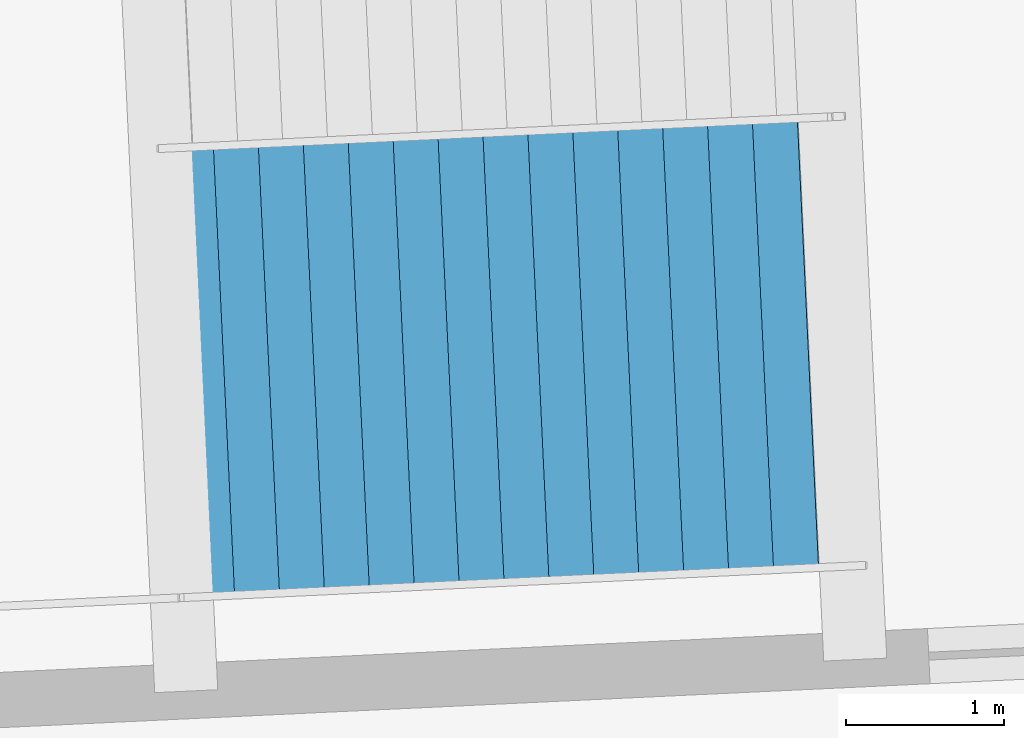
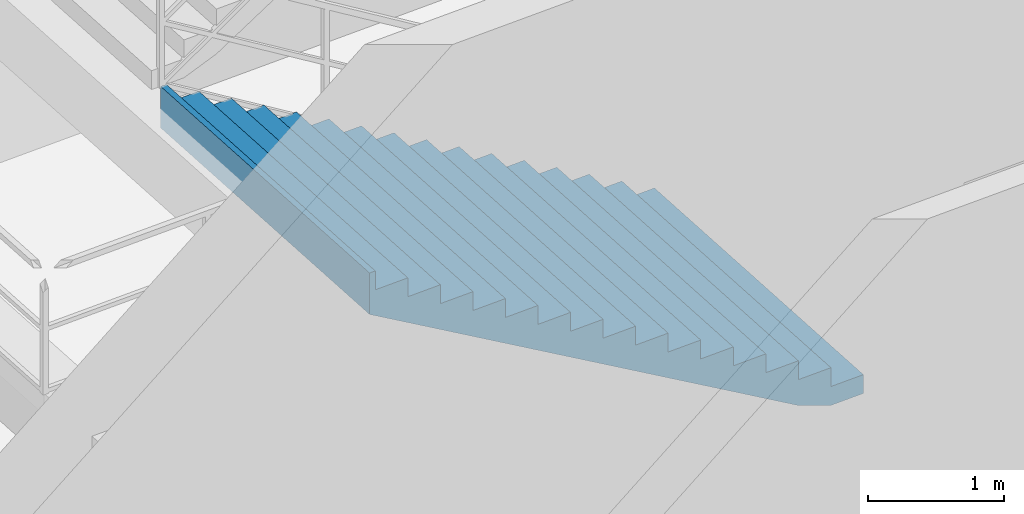
# One storey, part 38 of 49: 1 stair flight, 1 element without a shape of its own.
"""IFC4 building model written with IfcOpenShell, lengths in metres."""

from ifc_helpers import new_model, si_unit, direction, frame, origin, place, context, subcontext, project, spatial, polygons, material, type_object, element, aggregate, save


model = new_model("IFC4")

# Units and contexts
model_context = context("Model", 3, precision=1e-05, world=origin(), true_north=direction((0.0, 1.0)))
body_context = subcontext(model_context, "Body", "Model", "MODEL_VIEW")
ifc_project = project(units=[si_unit("LENGTHUNIT", "METRE"), si_unit("AREAUNIT", "SQUARE_METRE"), si_unit("VOLUMEUNIT", "CUBIC_METRE"), si_unit("PLANEANGLEUNIT", "RADIAN"), si_unit("MASSUNIT", "GRAM", prefix="KILO")], contexts=[model_context])

# Site, building, storey
site_placement = place(None, origin())
site = spatial("IfcSite", under=ifc_project, at=site_placement, CompositionType="ELEMENT")
building_placement = place(site_placement, origin())
building = spatial("IfcBuilding", under=site, at=building_placement, Name="Kazemori Nagisa Stadium", CompositionType="ELEMENT")
storey_placement = place(building_placement, frame((0.0, 0.0, -5.43994140625)))
storey = spatial("IfcBuildingStorey", under=building, at=storey_placement, Name="B1", CompositionType="ELEMENT", Elevation=-5.43994140625)

# Stair, stair flight
ifc_material = material(Name="Concrete C36/45 (Fc36)", Category="concrete")
stair_type = type_object("IfcStairType", Name="Stair_CORE_32", PredefinedType="TWO_STRAIGHT_RUN_STAIR", material=ifc_material)
stair_placement = place(storey_placement, origin())
stair = element("IfcStair", 1, at=stair_placement, inside=storey, type_object=stair_type, Name="Exit stair ST05 B1", PredefinedType="TWO_STRAIGHT_RUN_STAIR")
stair_flight_type = type_object("IfcStairFlightType", Name="Flight_CORE_16", PredefinedType="STRAIGHT", material=ifc_material)
stair_flight_placement = place(storey_placement, frame((119.465087890625, 180.565673828125, 0.0), z_axis=(0.0, 0.0, 1.0), x_axis=(-0.99888410244, -0.047228697771, 0.0)))
stair_flight = element("IfcStairFlight", 2, at=stair_flight_placement, type_object=stair_flight_type, Name="Exit stair ST05 B1 flight 1", NumberOfRisers=16, NumberOfTreads=15, PredefinedType="STRAIGHT", RiserHeight=0.17, TreadLength=0.285, context=body_context, shape_type="Tessellation", body=[
    polygons([(0.0, -1.425048828125, 0.0), (0.0, -1.425048828125, 0.169921875), (0.284912109375, -1.425048828125, 0.169921875), (0.284912109375, -1.425048828125, 0.340087890625), (0.570068359375, -1.425048828125, 0.340087890625), (0.570068359375, -1.425048828125, 0.510009765625), (0.85498046875, -1.425048828125, 0.510009765625), (0.85498046875, -1.425048828125, 0.679931640625), (1.139892578125, -1.425048828125, 0.679931640625), (1.139892578125, -1.425048828125, 0.85009765625), (1.425048828125, -1.425048828125, 0.85009765625), (1.425048828125, -1.425048828125, 1.02001953125), (1.7099609375, -1.425048828125, 1.02001953125), (1.7099609375, -1.425048828125, 1.18994140625), (1.9951171875, -1.425048828125, 1.18994140625), (1.9951171875, -1.425048828125, 1.360107421875), (2.280029296875, -1.425048828125, 1.360107421875), (2.280029296875, -1.425048828125, 1.530029296875), (2.56494140625, -1.425048828125, 1.530029296875), (2.56494140625, -1.425048828125, 1.699951171875), (2.85009765625, -1.425048828125, 1.699951171875), (2.85009765625, -1.425048828125, 1.8701171875), (3.135009765625, -1.425048828125, 1.8701171875), (3.135009765625, -1.425048828125, 2.0400390625), (3.419921875, -1.425048828125, 2.0400390625), (3.419921875, -1.425048828125, 2.2099609375), (3.705078125, -1.425048828125, 2.2099609375), (3.705078125, -1.425048828125, 2.3798828125), (3.989990234375, -1.425048828125, 2.3798828125), (3.989990234375, -1.425048828125, 2.550048828125), (4.27490234375, -1.425048828125, 2.550048828125), (4.27490234375, -1.425048828125, 2.719970703125), (4.324951171875, -1.425048828125, 2.719970703125), (4.324951171875, -1.425048828125, 2.346923828125), (4.27490234375, -1.425048828125, 2.317138671875), (3.989990234375, -1.425048828125, 2.147216796875), (3.705078125, -1.425048828125, 1.977294921875), (3.419921875, -1.425048828125, 1.80712890625), (3.135009765625, -1.425048828125, 1.63720703125), (2.85009765625, -1.425048828125, 1.46728515625), (2.56494140625, -1.425048828125, 1.297119140625), (2.280029296875, -1.425048828125, 1.127197265625), (1.9951171875, -1.425048828125, 0.957275390625), (1.7099609375, -1.425048828125, 0.787109375), (1.425048828125, -1.425048828125, 0.6171875), (1.139892578125, -1.425048828125, 0.447265625), (0.85498046875, -1.425048828125, 0.277099609375), (0.570068359375, -1.425048828125, 0.107177734375), (0.284912109375, -1.425048828125, 0.0), (0.0, -0.08544921875, 0.0), (0.0, -0.08544921875, 0.169921875), (0.284912109375, -0.08544921875, 0.169921875), (0.284912109375, -0.08544921875, 0.340087890625), (0.570068359375, -0.08544921875, 0.340087890625), (0.570068359375, -0.08544921875, 0.510009765625), (0.85498046875, -0.08544921875, 0.510009765625), (0.85498046875, -0.08544921875, 0.679931640625), (1.139892578125, -0.08544921875, 0.679931640625), (1.139892578125, -0.08544921875, 0.85009765625), (1.425048828125, -0.08544921875, 0.85009765625), (1.425048828125, -0.08544921875, 1.02001953125), (1.7099609375, -0.08544921875, 1.02001953125), (1.7099609375, -0.08544921875, 1.18994140625), (1.9951171875, -0.08544921875, 1.18994140625), (1.9951171875, -0.08544921875, 1.360107421875), (2.280029296875, -0.08544921875, 1.360107421875), (2.280029296875, -0.08544921875, 1.530029296875), (2.56494140625, -0.08544921875, 1.530029296875), (2.56494140625, -0.08544921875, 1.699951171875), (2.85009765625, -0.08544921875, 1.699951171875), (2.85009765625, -0.08544921875, 1.8701171875), (3.135009765625, -0.08544921875, 1.8701171875), (3.135009765625, -0.08544921875, 2.0400390625), (3.419921875, -0.08544921875, 2.0400390625), (3.419921875, -0.08544921875, 2.2099609375), (3.705078125, -0.08544921875, 2.2099609375), (3.705078125, -0.08544921875, 2.3798828125), (3.989990234375, -0.08544921875, 2.3798828125), (3.989990234375, -0.08544921875, 2.550048828125), (4.27490234375, -0.08544921875, 2.550048828125), (4.27490234375, -0.08544921875, 2.719970703125), (4.324951171875, -0.08544921875, 2.719970703125), (4.324951171875, -0.08544921875, 2.346923828125), (4.27490234375, -0.08544921875, 2.317138671875), (3.989990234375, -0.08544921875, 2.147216796875), (3.705078125, -0.08544921875, 1.977294921875), (3.419921875, -0.08544921875, 1.80712890625), (3.135009765625, -0.08544921875, 1.63720703125), (2.85009765625, -0.08544921875, 1.46728515625), (2.56494140625, -0.08544921875, 1.297119140625), (2.280029296875, -0.08544921875, 1.127197265625), (1.9951171875, -0.08544921875, 0.957275390625), (1.7099609375, -0.08544921875, 0.787109375), (1.425048828125, -0.08544921875, 0.6171875), (1.139892578125, -0.08544921875, 0.447265625), (0.85498046875, -0.08544921875, 0.277099609375), (0.570068359375, -0.08544921875, 0.107177734375), (0.284912109375, -0.08544921875, 0.0), (0.0, 0.0, 0.0), (0.0, 0.0, 0.169921875), (0.284912109375, 0.0, 0.169921875), (0.284912109375, 0.0, 0.340087890625), (0.570068359375, 0.0, 0.340087890625), (0.570068359375, 0.0, 0.510009765625), (0.85498046875, 0.0, 0.510009765625), (0.85498046875, 0.0, 0.679931640625), (1.139892578125, 0.0, 0.679931640625), (1.139892578125, 0.0, 0.85009765625), (1.425048828125, 0.0, 0.85009765625), (1.425048828125, 0.0, 1.02001953125), (1.7099609375, 0.0, 1.02001953125), (1.7099609375, 0.0, 1.18994140625), (1.9951171875, 0.0, 1.18994140625), (1.9951171875, 0.0, 1.360107421875), (2.280029296875, 0.0, 1.360107421875), (2.280029296875, 0.0, 1.530029296875), (2.56494140625, 0.0, 1.530029296875), (2.56494140625, 0.0, 1.699951171875), (2.85009765625, 0.0, 1.699951171875), (2.85009765625, 0.0, 1.8701171875), (3.135009765625, 0.0, 1.8701171875), (3.135009765625, 0.0, 2.0400390625), (3.419921875, 0.0, 2.0400390625), (3.419921875, 0.0, 2.2099609375), (3.705078125, 0.0, 2.2099609375), (3.705078125, 0.0, 2.3798828125), (3.989990234375, 0.0, 2.3798828125), (3.989990234375, 0.0, 2.550048828125), (4.27490234375, 0.0, 2.550048828125), (4.27490234375, 0.0, 2.719970703125), (4.324951171875, 0.0, 2.719970703125), (4.324951171875, 0.0, 2.346923828125), (4.27490234375, 0.0, 2.317138671875), (3.989990234375, 0.0, 2.147216796875), (3.705078125, 0.0, 1.977294921875), (3.419921875, 0.0, 1.80712890625), (3.135009765625, 0.0, 1.63720703125), (2.85009765625, 0.0, 1.46728515625), (2.56494140625, 0.0, 1.297119140625), (2.280029296875, 0.0, 1.127197265625), (1.9951171875, 0.0, 0.957275390625), (1.7099609375, 0.0, 0.787109375), (1.425048828125, 0.0, 0.6171875), (1.139892578125, 0.0, 0.447265625), (0.85498046875, 0.0, 0.277099609375), (0.570068359375, 0.0, 0.107177734375), (0.284912109375, 0.0, 0.0), (0.0, 0.08544921875, 0.0), (0.0, 0.08544921875, 0.169921875), (0.284912109375, 0.08544921875, 0.169921875), (0.284912109375, 0.08544921875, 0.340087890625), (0.570068359375, 0.08544921875, 0.340087890625), (0.570068359375, 0.08544921875, 0.510009765625), (0.85498046875, 0.08544921875, 0.510009765625), (0.85498046875, 0.08544921875, 0.679931640625), (1.139892578125, 0.08544921875, 0.679931640625), (1.139892578125, 0.08544921875, 0.85009765625), (1.425048828125, 0.08544921875, 0.85009765625), (1.425048828125, 0.08544921875, 1.02001953125), (1.7099609375, 0.08544921875, 1.02001953125), (1.7099609375, 0.08544921875, 1.18994140625), (1.9951171875, 0.08544921875, 1.18994140625), (1.9951171875, 0.08544921875, 1.360107421875), (2.280029296875, 0.08544921875, 1.360107421875), (2.280029296875, 0.08544921875, 1.530029296875), (2.56494140625, 0.08544921875, 1.530029296875), (2.56494140625, 0.08544921875, 1.699951171875), (2.85009765625, 0.08544921875, 1.699951171875), (2.85009765625, 0.08544921875, 1.8701171875), (3.135009765625, 0.08544921875, 1.8701171875), (3.135009765625, 0.08544921875, 2.0400390625), (3.419921875, 0.08544921875, 2.0400390625), (3.419921875, 0.08544921875, 2.2099609375), (3.705078125, 0.08544921875, 2.2099609375), (3.705078125, 0.08544921875, 2.3798828125), (3.989990234375, 0.08544921875, 2.3798828125), (3.989990234375, 0.08544921875, 2.550048828125), (4.27490234375, 0.08544921875, 2.550048828125), (4.27490234375, 0.08544921875, 2.719970703125), (4.324951171875, 0.08544921875, 2.719970703125), (4.324951171875, 0.08544921875, 2.346923828125), (4.27490234375, 0.08544921875, 2.317138671875), (3.989990234375, 0.08544921875, 2.147216796875), (3.705078125, 0.08544921875, 1.977294921875), (3.419921875, 0.08544921875, 1.80712890625), (3.135009765625, 0.08544921875, 1.63720703125), (2.85009765625, 0.08544921875, 1.46728515625), (2.56494140625, 0.08544921875, 1.297119140625), (2.280029296875, 0.08544921875, 1.127197265625), (1.9951171875, 0.08544921875, 0.957275390625), (1.7099609375, 0.08544921875, 0.787109375), (1.425048828125, 0.08544921875, 0.6171875), (1.139892578125, 0.08544921875, 0.447265625), (0.85498046875, 0.08544921875, 0.277099609375), (0.570068359375, 0.08544921875, 0.107177734375), (0.284912109375, 0.08544921875, 0.0), (0.0, 1.425048828125, 0.0), (0.0, 1.425048828125, 0.169921875), (0.284912109375, 1.425048828125, 0.169921875), (0.284912109375, 1.425048828125, 0.340087890625), (0.570068359375, 1.425048828125, 0.340087890625), (0.570068359375, 1.425048828125, 0.510009765625), (0.85498046875, 1.425048828125, 0.510009765625), (0.85498046875, 1.425048828125, 0.679931640625), (1.139892578125, 1.425048828125, 0.679931640625), (1.139892578125, 1.425048828125, 0.85009765625), (1.425048828125, 1.425048828125, 0.85009765625), (1.425048828125, 1.425048828125, 1.02001953125), (1.7099609375, 1.425048828125, 1.02001953125), (1.7099609375, 1.425048828125, 1.18994140625), (1.9951171875, 1.425048828125, 1.18994140625), (1.9951171875, 1.425048828125, 1.360107421875), (2.280029296875, 1.425048828125, 1.360107421875), (2.280029296875, 1.425048828125, 1.530029296875), (2.56494140625, 1.425048828125, 1.530029296875), (2.56494140625, 1.425048828125, 1.699951171875), (2.85009765625, 1.425048828125, 1.699951171875), (2.85009765625, 1.425048828125, 1.8701171875), (3.135009765625, 1.425048828125, 1.8701171875), (3.135009765625, 1.425048828125, 2.0400390625), (3.419921875, 1.425048828125, 2.0400390625), (3.419921875, 1.425048828125, 2.2099609375), (3.705078125, 1.425048828125, 2.2099609375), (3.705078125, 1.425048828125, 2.3798828125), (3.989990234375, 1.425048828125, 2.3798828125), (3.989990234375, 1.425048828125, 2.550048828125), (4.27490234375, 1.425048828125, 2.550048828125), (4.27490234375, 1.425048828125, 2.719970703125), (4.324951171875, 1.425048828125, 2.719970703125), (4.324951171875, 1.425048828125, 2.346923828125), (4.27490234375, 1.425048828125, 2.317138671875), (3.989990234375, 1.425048828125, 2.147216796875), (3.705078125, 1.425048828125, 1.977294921875), (3.419921875, 1.425048828125, 1.80712890625), (3.135009765625, 1.425048828125, 1.63720703125), (2.85009765625, 1.425048828125, 1.46728515625), (2.56494140625, 1.425048828125, 1.297119140625), (2.280029296875, 1.425048828125, 1.127197265625), (1.9951171875, 1.425048828125, 0.957275390625), (1.7099609375, 1.425048828125, 0.787109375), (1.425048828125, 1.425048828125, 0.6171875), (1.139892578125, 1.425048828125, 0.447265625), (0.85498046875, 1.425048828125, 0.277099609375), (0.570068359375, 1.425048828125, 0.107177734375), (0.284912109375, 1.425048828125, 0.0)], [[[1, 2, 51]], [[1, 51, 50]], [[2, 3, 52]], [[2, 52, 51]], [[3, 4, 53]], [[3, 53, 52]], [[4, 5, 54]], [[4, 54, 53]], [[5, 6, 55]], [[5, 55, 54]], [[6, 7, 56]], [[6, 56, 55]], [[7, 8, 57]], [[7, 57, 56]], [[8, 9, 58]], [[8, 58, 57]], [[9, 10, 59]], [[9, 59, 58]], [[10, 11, 60]], [[10, 60, 59]], [[11, 12, 61]], [[11, 61, 60]], [[12, 13, 62]], [[12, 62, 61]], [[13, 14, 63]], [[13, 63, 62]], [[14, 15, 64]], [[14, 64, 63]], [[15, 16, 65]], [[15, 65, 64]], [[16, 17, 66]], [[16, 66, 65]], [[17, 18, 67]], [[17, 67, 66]], [[18, 19, 68]], [[18, 68, 67]], [[19, 20, 69]], [[19, 69, 68]], [[20, 21, 70]], [[20, 70, 69]], [[21, 22, 71]], [[21, 71, 70]], [[22, 23, 72]], [[22, 72, 71]], [[23, 24, 73]], [[23, 73, 72]], [[24, 25, 74]], [[24, 74, 73]], [[25, 26, 75]], [[25, 75, 74]], [[26, 27, 76]], [[26, 76, 75]], [[27, 28, 77]], [[27, 77, 76]], [[28, 29, 78]], [[28, 78, 77]], [[29, 30, 79]], [[29, 79, 78]], [[30, 31, 80]], [[30, 80, 79]], [[31, 32, 81]], [[31, 81, 80]], [[32, 33, 82]], [[32, 82, 81]], [[33, 34, 83]], [[33, 83, 82]], [[34, 35, 84]], [[34, 84, 83]], [[35, 36, 85]], [[35, 85, 84]], [[36, 37, 86]], [[36, 86, 85]], [[37, 38, 87]], [[37, 87, 86]], [[38, 39, 88]], [[38, 88, 87]], [[39, 40, 89]], [[39, 89, 88]], [[40, 41, 90]], [[40, 90, 89]], [[41, 42, 91]], [[41, 91, 90]], [[42, 43, 92]], [[42, 92, 91]], [[43, 44, 93]], [[43, 93, 92]], [[44, 45, 94]], [[44, 94, 93]], [[45, 46, 95]], [[45, 95, 94]], [[46, 47, 96]], [[46, 96, 95]], [[47, 48, 97]], [[47, 97, 96]], [[48, 49, 98]], [[48, 98, 97]], [[49, 1, 50]], [[49, 50, 98]], [[50, 51, 100]], [[50, 100, 99]], [[51, 52, 101]], [[51, 101, 100]], [[52, 53, 102]], [[52, 102, 101]], [[53, 54, 103]], [[53, 103, 102]], [[54, 55, 104]], [[54, 104, 103]], [[55, 56, 105]], [[55, 105, 104]], [[56, 57, 106]], [[56, 106, 105]], [[57, 58, 107]], [[57, 107, 106]], [[58, 59, 108]], [[58, 108, 107]], [[59, 60, 109]], [[59, 109, 108]], [[60, 61, 110]], [[60, 110, 109]], [[61, 62, 111]], [[61, 111, 110]], [[62, 63, 112]], [[62, 112, 111]], [[63, 64, 113]], [[63, 113, 112]], [[64, 65, 114]], [[64, 114, 113]], [[65, 66, 115]], [[65, 115, 114]], [[66, 67, 116]], [[66, 116, 115]], [[67, 68, 117]], [[67, 117, 116]], [[68, 69, 118]], [[68, 118, 117]], [[69, 70, 119]], [[69, 119, 118]], [[70, 71, 120]], [[70, 120, 119]], [[71, 72, 121]], [[71, 121, 120]], [[72, 73, 122]], [[72, 122, 121]], [[73, 74, 123]], [[73, 123, 122]], [[74, 75, 124]], [[74, 124, 123]], [[75, 76, 125]], [[75, 125, 124]], [[76, 77, 126]], [[76, 126, 125]], [[77, 78, 127]], [[77, 127, 126]], [[78, 79, 128]], [[78, 128, 127]], [[79, 80, 129]], [[79, 129, 128]], [[80, 81, 130]], [[80, 130, 129]], [[81, 82, 131]], [[81, 131, 130]], [[82, 83, 132]], [[82, 132, 131]], [[83, 84, 133]], [[83, 133, 132]], [[84, 85, 134]], [[84, 134, 133]], [[85, 86, 135]], [[85, 135, 134]], [[86, 87, 136]], [[86, 136, 135]], [[87, 88, 137]], [[87, 137, 136]], [[88, 89, 138]], [[88, 138, 137]], [[89, 90, 139]], [[89, 139, 138]], [[90, 91, 140]], [[90, 140, 139]], [[91, 92, 141]], [[91, 141, 140]], [[92, 93, 142]], [[92, 142, 141]], [[93, 94, 143]], [[93, 143, 142]], [[94, 95, 144]], [[94, 144, 143]], [[95, 96, 145]], [[95, 145, 144]], [[96, 97, 146]], [[96, 146, 145]], [[97, 98, 147]], [[97, 147, 146]], [[98, 50, 99]], [[98, 99, 147]], [[99, 100, 149]], [[99, 149, 148]], [[100, 101, 150]], [[100, 150, 149]], [[101, 102, 151]], [[101, 151, 150]], [[102, 103, 152]], [[102, 152, 151]], [[103, 104, 153]], [[103, 153, 152]], [[104, 105, 154]], [[104, 154, 153]], [[105, 106, 155]], [[105, 155, 154]], [[106, 107, 156]], [[106, 156, 155]], [[107, 108, 157]], [[107, 157, 156]], [[108, 109, 158]], [[108, 158, 157]], [[109, 110, 159]], [[109, 159, 158]], [[110, 111, 160]], [[110, 160, 159]], [[111, 112, 161]], [[111, 161, 160]], [[112, 113, 162]], [[112, 162, 161]], [[113, 114, 163]], [[113, 163, 162]], [[114, 115, 164]], [[114, 164, 163]], [[115, 116, 165]], [[115, 165, 164]], [[116, 117, 166]], [[116, 166, 165]], [[117, 118, 167]], [[117, 167, 166]], [[118, 119, 168]], [[118, 168, 167]], [[119, 120, 169]], [[119, 169, 168]], [[120, 121, 170]], [[120, 170, 169]], [[121, 122, 171]], [[121, 171, 170]], [[122, 123, 172]], [[122, 172, 171]], [[123, 124, 173]], [[123, 173, 172]], [[124, 125, 174]], [[124, 174, 173]], [[125, 126, 175]], [[125, 175, 174]], [[126, 127, 176]], [[126, 176, 175]], [[127, 128, 177]], [[127, 177, 176]], [[128, 129, 178]], [[128, 178, 177]], [[129, 130, 179]], [[129, 179, 178]], [[130, 131, 180]], [[130, 180, 179]], [[131, 132, 181]], [[131, 181, 180]], [[132, 133, 182]], [[132, 182, 181]], [[133, 134, 183]], [[133, 183, 182]], [[134, 135, 184]], [[134, 184, 183]], [[135, 136, 185]], [[135, 185, 184]], [[136, 137, 186]], [[136, 186, 185]], [[137, 138, 187]], [[137, 187, 186]], [[138, 139, 188]], [[138, 188, 187]], [[139, 140, 189]], [[139, 189, 188]], [[140, 141, 190]], [[140, 190, 189]], [[141, 142, 191]], [[141, 191, 190]], [[142, 143, 192]], [[142, 192, 191]], [[143, 144, 193]], [[143, 193, 192]], [[144, 145, 194]], [[144, 194, 193]], [[145, 146, 195]], [[145, 195, 194]], [[146, 147, 196]], [[146, 196, 195]], [[147, 99, 148]], [[147, 148, 196]], [[148, 149, 198]], [[148, 198, 197]], [[149, 150, 199]], [[149, 199, 198]], [[150, 151, 200]], [[150, 200, 199]], [[151, 152, 201]], [[151, 201, 200]], [[152, 153, 202]], [[152, 202, 201]], [[153, 154, 203]], [[153, 203, 202]], [[154, 155, 204]], [[154, 204, 203]], [[155, 156, 205]], [[155, 205, 204]], [[156, 157, 206]], [[156, 206, 205]], [[157, 158, 207]], [[157, 207, 206]], [[158, 159, 208]], [[158, 208, 207]], [[159, 160, 209]], [[159, 209, 208]], [[160, 161, 210]], [[160, 210, 209]], [[161, 162, 211]], [[161, 211, 210]], [[162, 163, 212]], [[162, 212, 211]], [[163, 164, 213]], [[163, 213, 212]], [[164, 165, 214]], [[164, 214, 213]], [[165, 166, 215]], [[165, 215, 214]], [[166, 167, 216]], [[166, 216, 215]], [[167, 168, 217]], [[167, 217, 216]], [[168, 169, 218]], [[168, 218, 217]], [[169, 170, 219]], [[169, 219, 218]], [[170, 171, 220]], [[170, 220, 219]], [[171, 172, 221]], [[171, 221, 220]], [[172, 173, 222]], [[172, 222, 221]], [[173, 174, 223]], [[173, 223, 222]], [[174, 175, 224]], [[174, 224, 223]], [[175, 176, 225]], [[175, 225, 224]], [[176, 177, 226]], [[176, 226, 225]], [[177, 178, 227]], [[177, 227, 226]], [[178, 179, 228]], [[178, 228, 227]], [[179, 180, 229]], [[179, 229, 228]], [[180, 181, 230]], [[180, 230, 229]], [[181, 182, 231]], [[181, 231, 230]], [[182, 183, 232]], [[182, 232, 231]], [[183, 184, 233]], [[183, 233, 232]], [[184, 185, 234]], [[184, 234, 233]], [[185, 186, 235]], [[185, 235, 234]], [[186, 187, 236]], [[186, 236, 235]], [[187, 188, 237]], [[187, 237, 236]], [[188, 189, 238]], [[188, 238, 237]], [[189, 190, 239]], [[189, 239, 238]], [[190, 191, 240]], [[190, 240, 239]], [[191, 192, 241]], [[191, 241, 240]], [[192, 193, 242]], [[192, 242, 241]], [[193, 194, 243]], [[193, 243, 242]], [[194, 195, 244]], [[194, 244, 243]], [[195, 196, 245]], [[195, 245, 244]], [[196, 148, 197]], [[196, 197, 245]], [[3, 2, 1]], [[197, 198, 199]], [[49, 3, 1]], [[197, 199, 245]], [[48, 3, 49]], [[245, 199, 244]], [[5, 3, 48]], [[244, 199, 201]], [[5, 4, 3]], [[199, 200, 201]], [[47, 5, 48]], [[244, 201, 243]], [[7, 5, 47]], [[243, 201, 203]], [[7, 6, 5]], [[201, 202, 203]], [[46, 7, 47]], [[243, 203, 242]], [[9, 7, 46]], [[242, 203, 205]], [[9, 8, 7]], [[203, 204, 205]], [[45, 9, 46]], [[242, 205, 241]], [[11, 9, 45]], [[241, 205, 207]], [[11, 10, 9]], [[205, 206, 207]], [[44, 11, 45]], [[241, 207, 240]], [[13, 11, 44]], [[240, 207, 209]], [[13, 12, 11]], [[207, 208, 209]], [[43, 13, 44]], [[240, 209, 239]], [[15, 13, 43]], [[239, 209, 211]], [[15, 14, 13]], [[209, 210, 211]], [[42, 15, 43]], [[239, 211, 238]], [[17, 15, 42]], [[238, 211, 213]], [[17, 16, 15]], [[211, 212, 213]], [[41, 17, 42]], [[238, 213, 237]], [[19, 17, 41]], [[237, 213, 215]], [[19, 18, 17]], [[213, 214, 215]], [[40, 19, 41]], [[237, 215, 236]], [[21, 19, 40]], [[236, 215, 217]], [[21, 20, 19]], [[215, 216, 217]], [[39, 21, 40]], [[236, 217, 235]], [[23, 21, 39]], [[235, 217, 219]], [[23, 22, 21]], [[217, 218, 219]], [[38, 23, 39]], [[235, 219, 234]], [[25, 23, 38]], [[234, 219, 221]], [[25, 24, 23]], [[219, 220, 221]], [[37, 25, 38]], [[234, 221, 233]], [[27, 25, 37]], [[233, 221, 223]], [[27, 26, 25]], [[221, 222, 223]], [[36, 27, 37]], [[233, 223, 232]], [[29, 27, 36]], [[232, 223, 225]], [[29, 28, 27]], [[223, 224, 225]], [[35, 29, 36]], [[232, 225, 231]], [[31, 29, 35]], [[231, 225, 227]], [[31, 30, 29]], [[225, 226, 227]], [[34, 31, 35]], [[231, 227, 230]], [[33, 31, 34]], [[230, 227, 229]], [[33, 32, 31]], [[227, 228, 229]]], closed=True),
])
aggregate(stair, [stair_flight])

save(model, "model.ifc")
